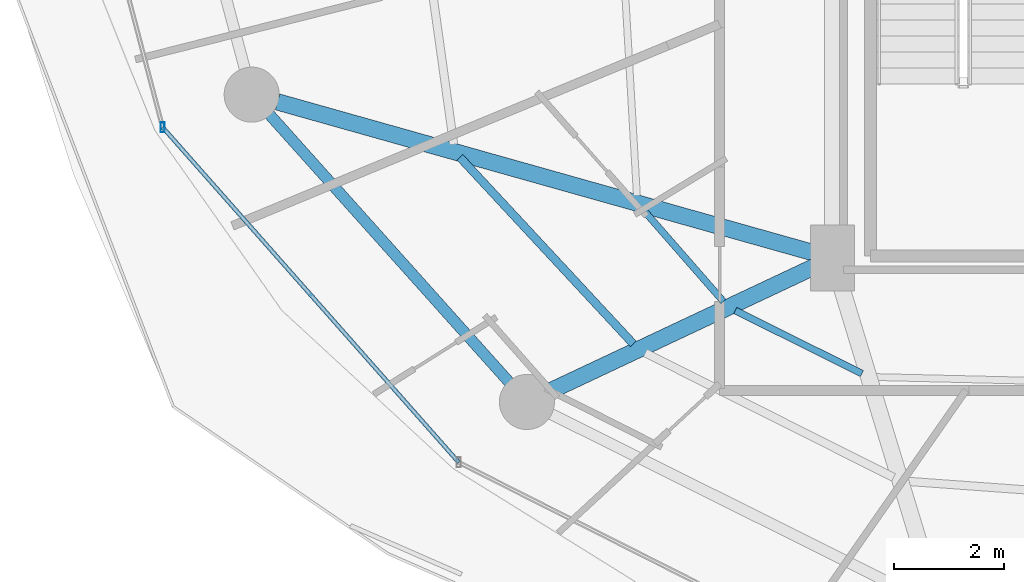
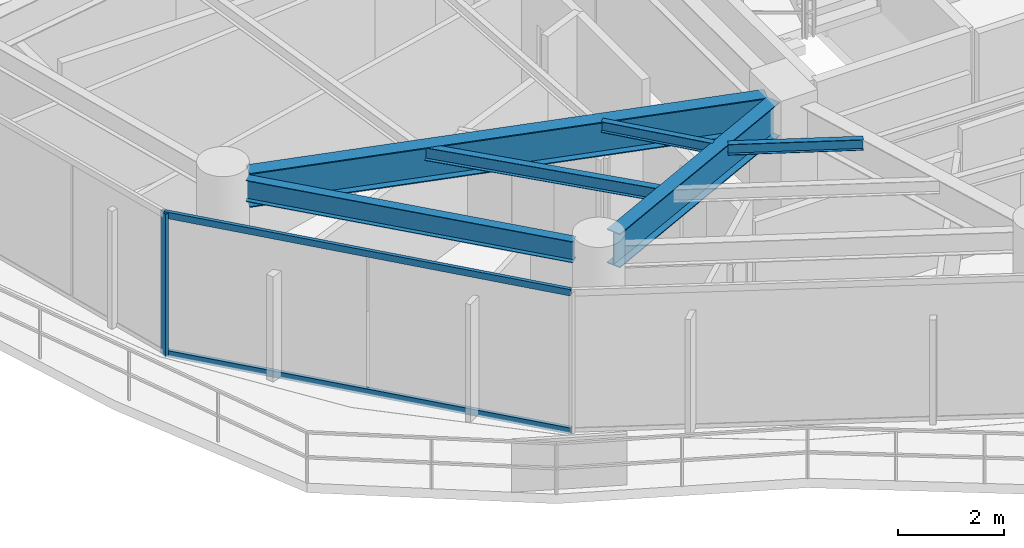
# One storey, part 3 of 28: 6 beams, 3 members, 1 element without a shape of its own.
"""IFC4 building model written with IfcOpenShell, lengths in metres."""

from ifc_helpers import new_model, si_unit, direction, frame, origin, origin_2d, place, context, subcontext, project, spatial, hollow_rectangle, i_section, extrude, material, material_profile, profile_set, type_object, element, aggregate, save


model = new_model("IFC4")

# Units and contexts
model_context = context("Model", 3, precision=1e-05, world=origin(), true_north=direction((0.0, 1.0)))
body_context = subcontext(model_context, "Body", "Model", "MODEL_VIEW")
ifc_project = project(units=[si_unit("LENGTHUNIT", "METRE"), si_unit("AREAUNIT", "SQUARE_METRE"), si_unit("VOLUMEUNIT", "CUBIC_METRE"), si_unit("PLANEANGLEUNIT", "RADIAN"), si_unit("MASSUNIT", "GRAM", prefix="KILO")], contexts=[model_context])

# Site, building, storey
site_placement = place(None, origin())
site = spatial("IfcSite", under=ifc_project, at=site_placement, CompositionType="ELEMENT")
building_placement = place(site_placement, origin())
building = spatial("IfcBuilding", under=site, at=building_placement, Name="Vorneva Point Tower", CompositionType="ELEMENT")
storey_placement = place(building_placement, frame((0.0, 0.0, 139.60009765625)))
storey = spatial("IfcBuildingStorey", under=building, at=storey_placement, Name="L37", CompositionType="ELEMENT", Elevation=139.60009765625)

# Beams
ifc_material_1 = material(Name="Steel S355", Category="steel")
ifc_material_profile_1 = material_profile(ifc_material_1, i_section(OverallWidth=0.300048828125, OverallDepth=0.7880859375, WebThickness=0.014404296875, FlangeThickness=0.02197265625, at=origin_2d()), Name="80Sh1")
ifc_profile_set_1 = profile_set([ifc_material_profile_1], Name="Steel S355")
beam_type_1 = type_object("IfcBeamType", Name="BM-GRD-80Sh1", PredefinedType="USERDEFINED", material=ifc_profile_set_1)
beam_1_placement = place(storey_placement, frame((17.17431640625, 19.28564453125, 2.845947265625), z_axis=(0.96260085362, -0.270923599213, 0.0), x_axis=(0.270923599213, 0.96260085362, 0.0)))
element("IfcBeam", 1, at=beam_1_placement, inside=storey, type_object=beam_type_1, Name="L37 Radial Primary Girder 10", ObjectType="GIRDER", PredefinedType="USERDEFINED", context=body_context, shape_type="SweptSolid", body=[
    extrude(i_section(OverallWidth=0.300048828125, OverallDepth=0.7880859375, WebThickness=0.014404296875, FlangeThickness=0.02197265625, at=origin_2d()), origin(), (0.0, 0.0, 1.0), 10.126953125),
])
beam_2_placement = place(storey_placement, frame((22.142578125, 14.045654296875, 2.845947265625), z_axis=(0.904761331435, 0.425918927896, 0.0), x_axis=(-0.425918927896, 0.904761331435, 0.0)))
element("IfcBeam", 2, at=beam_2_placement, inside=storey, type_object=beam_type_1, Name="L37 Radial Primary Girder 11", ObjectType="GIRDER", PredefinedType="USERDEFINED", context=body_context, shape_type="SweptSolid", body=[
    extrude(i_section(OverallWidth=0.300048828125, OverallDepth=0.7880859375, WebThickness=0.014404296875, FlangeThickness=0.02197265625, at=origin_2d()), origin(), (0.0, 0.0, 1.0), 5.304931640625),
])
ifc_material_profile_2 = material_profile(ifc_material_1, i_section(OverallWidth=0.1240234375, OverallDepth=0.248046875, WebThickness=0.0048828125, FlangeThickness=0.008056640625, at=origin_2d()), Name="25B1")
ifc_profile_set_2 = profile_set([ifc_material_profile_2], Name="Steel S355")
beam_type_2 = type_object("IfcBeamType", Name="BM-JST-25B1", PredefinedType="JOIST", material=ifc_profile_set_2)
beam_3_placement = place(storey_placement, frame((23.796630859375, 17.343505859375, 3.115966796875), z_axis=(0.658705826659, -0.752400580758, 0.0), x_axis=(0.752400580758, 0.658705826659, 0.0)))
element("IfcBeam", 3, at=beam_3_placement, inside=storey, type_object=beam_type_2, Name="L37 Secondary Floor Beam 2.10", PredefinedType="JOIST", context=body_context, shape_type="SweptSolid", body=[
    extrude(i_section(OverallWidth=0.1240234375, OverallDepth=0.248046875, WebThickness=0.0048828125, FlangeThickness=0.008056640625, at=origin_2d()), origin(), (0.0, 0.0, 1.0), 2.233154296875),
])
beam_4_placement = place(storey_placement, frame((25.482177734375, 15.498291015625, 3.115966796875), z_axis=(0.895489131745, -0.445083379746, 0.0), x_axis=(0.445083379746, 0.895489131745, 0.0)))
element("IfcBeam", 4, at=beam_4_placement, inside=storey, type_object=beam_type_2, Name="L37 Secondary Floor Beam 2.11", PredefinedType="JOIST", context=body_context, shape_type="SweptSolid", body=[
    extrude(i_section(OverallWidth=0.1240234375, OverallDepth=0.248046875, WebThickness=0.0048828125, FlangeThickness=0.008056640625, at=origin_2d()), origin(), (0.0, 0.0, 1.0), 2.56884765625),
])
ifc_material_profile_3 = material_profile(ifc_material_1, i_section(OverallWidth=0.14892578125, OverallDepth=0.298095703125, WebThickness=0.005615234375, FlangeThickness=0.008056640625, at=origin_2d()), Name="30B1")
ifc_profile_set_3 = profile_set([ifc_material_profile_3], Name="Steel S355")
beam_type_3 = type_object("IfcBeamType", Name="BM-JST-30B1", PredefinedType="JOIST", material=ifc_profile_set_3)
beam_5_placement = place(storey_placement, frame((20.4853515625, 18.279296875, 3.0908203125), z_axis=(0.680732567177, -0.732532027959, 0.0), x_axis=(0.732532027959, 0.680732567177, 0.0)))
element("IfcBeam", 5, at=beam_5_placement, inside=storey, type_object=beam_type_3, Name="L37 Secondary Floor Beam 1.10", PredefinedType="JOIST", context=body_context, shape_type="SweptSolid", body=[
    extrude(i_section(OverallWidth=0.14892578125, OverallDepth=0.298095703125, WebThickness=0.005615234375, FlangeThickness=0.008056640625, at=origin_2d()), origin(), (0.0, 0.0, 1.0), 4.62353515625),
])
ifc_material_profile_4 = material_profile(ifc_material_1, i_section(OverallWidth=0.199951171875, OverallDepth=0.491943359375, WebThickness=0.0087890625, FlangeThickness=0.011962890625, at=origin_2d()), Name="50B1")
ifc_profile_set_4 = profile_set([ifc_material_profile_4], Name="Steel S355")
beam_type_4 = type_object("IfcBeamType", Name="BM-SPN-50B1", PredefinedType="SPANDREL", material=ifc_profile_set_4)
beam_6_placement = place(storey_placement, frame((17.028076171875, 19.056396484375, 2.993896484375), z_axis=(0.667111118975, -0.74495822362, 0.0), x_axis=(0.74495822362, 0.667111118975, 0.0)))
element("IfcBeam", 6, at=beam_6_placement, inside=storey, type_object=beam_type_4, Name="L37 Perimeter Spandrel Ring Beam 10", PredefinedType="SPANDREL", context=body_context, shape_type="SweptSolid", body=[
    extrude(i_section(OverallWidth=0.199951171875, OverallDepth=0.491943359375, WebThickness=0.0087890625, FlangeThickness=0.011962890625, at=origin_2d()), origin(), (0.0, 0.0, 1.0), 6.52001953125),
])

# Curtain wall, members
ifc_material_2 = material(Name="Pale anodised aluminium", Category="aluminium")
curtain_wall_type = type_object("IfcCurtainWallType", Name="CW-RES-SYS", PredefinedType="NOTDEFINED", material=ifc_material_2)
curtain_wall_placement = place(storey_placement, origin())
curtain_wall = element("IfcCurtainWall", 7, at=curtain_wall_placement, inside=storey, type_object=curtain_wall_type, Name="L37 Unitised Curtain Wall CW-L37-R02", PredefinedType="NOTDEFINED")
ifc_material_profile_5 = material_profile(ifc_material_2, hollow_rectangle(XDim=0.074951171875, YDim=0.179931640625, WallThickness=0.00390625, at=origin_2d()), Name="AL-MUL 180x75x4")
ifc_profile_set_5 = profile_set([ifc_material_profile_5], Name="Pale anodised aluminium")
member_type_1 = type_object("IfcMemberType", Name="CW-MUL-180", PredefinedType="MULLION", material=ifc_profile_set_5)
member_1_placement = place(storey_placement, frame((15.087890625, 18.82470703125, -0.0400390625), z_axis=(0.0, 0.0, 1.0), x_axis=(1.0, 0.0, 0.0)))
member_1 = element("IfcMember", 8, at=member_1_placement, type_object=member_type_1, Name="CW-L37-R02 Mullion 04", PredefinedType="MULLION", context=body_context, shape_type="SweptSolid", body=[
    extrude(hollow_rectangle(XDim=0.074951171875, YDim=0.179931640625, WallThickness=0.00390625, at=origin_2d()), origin(), (0.0, 0.0, 1.0), 3.31005859375),
])
ifc_material_profile_6 = material_profile(ifc_material_2, hollow_rectangle(XDim=0.074951171875, YDim=0.14990234375, WallThickness=0.00390625, at=origin_2d()), Name="AL-TRN 150x75x4")
ifc_profile_set_6 = profile_set([ifc_material_profile_6], Name="Pale anodised aluminium")
member_type_2 = type_object("IfcMemberType", Name="CW-TRN-150", PredefinedType="USERDEFINED", material=ifc_profile_set_6)
member_2_placement = place(storey_placement, frame((15.087890625, 18.82470703125, 0.02001953125), z_axis=(0.662218216609, -0.749311039283, 0.0), x_axis=(0.749311039283, 0.662218216609, 0.0)))
member_2 = element("IfcMember", 9, at=member_2_placement, type_object=member_type_2, Name="CW-L37-R02 Transom 04.1", ObjectType="TRANSOM", PredefinedType="USERDEFINED", context=body_context, shape_type="SweptSolid", body=[
    extrude(hollow_rectangle(XDim=0.074951171875, YDim=0.14990234375, WallThickness=0.00390625, at=origin_2d()), origin(), (0.0, 0.0, 1.0), 8.1181640625),
])
member_3_placement = place(storey_placement, frame((15.087890625, 18.82470703125, 3.219970703125), z_axis=(0.662218216609, -0.749311039283, 0.0), x_axis=(0.749311039283, 0.662218216609, 0.0)))
member_3 = element("IfcMember", 10, at=member_3_placement, type_object=member_type_2, Name="CW-L37-R02 Transom 04.2", ObjectType="TRANSOM", PredefinedType="USERDEFINED", context=body_context, shape_type="SweptSolid", body=[
    extrude(hollow_rectangle(XDim=0.074951171875, YDim=0.14990234375, WallThickness=0.00390625, at=origin_2d()), origin(), (0.0, 0.0, 1.0), 8.1181640625),
])
aggregate(curtain_wall, [member_1, member_2, member_3])

save(model, "model.ifc")
